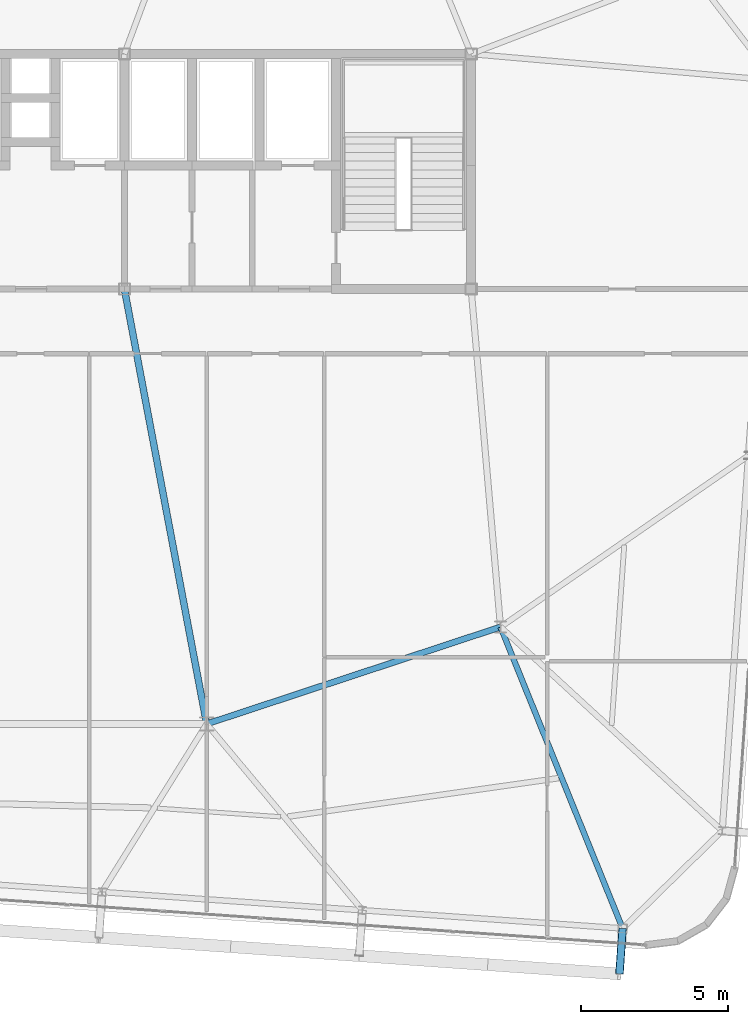
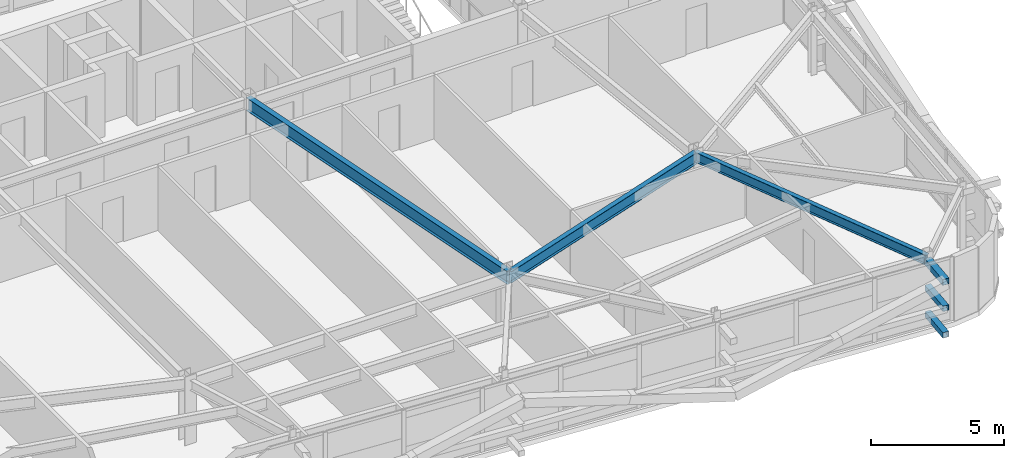
# One storey, part 20 of 47: 3 beams, 3 members.
"""IFC4 building model written with IfcOpenShell, lengths in metres."""

from ifc_helpers import new_model, si_unit, direction, frame, origin, origin_2d, place, context, subcontext, project, spatial, hollow_rectangle, i_section, extrude, source, transform, mapped, material, material_profile, profile_set, type_object, element, save


model = new_model("IFC4")

# Units and contexts
model_context = context("Model", 3, precision=1e-05, world=origin(), true_north=direction((0.0, 1.0)))
body_context = subcontext(model_context, "Body", "Model", "MODEL_VIEW")
ifc_project = project(units=[si_unit("LENGTHUNIT", "METRE"), si_unit("AREAUNIT", "SQUARE_METRE"), si_unit("VOLUMEUNIT", "CUBIC_METRE"), si_unit("PLANEANGLEUNIT", "RADIAN"), si_unit("MASSUNIT", "GRAM", prefix="KILO")], contexts=[model_context])

# Site, building, storey
site_placement = place(None, origin())
site = spatial("IfcSite", under=ifc_project, at=site_placement, CompositionType="ELEMENT")
building_placement = place(site_placement, origin())
building = spatial("IfcBuilding", under=site, at=building_placement, Name="Taldren Reach Tower", CompositionType="ELEMENT")
storey_placement = place(building_placement, frame((0.0, 0.0, 139.300048828125)))
storey = spatial("IfcBuildingStorey", under=building, at=storey_placement, Name="L42", CompositionType="ELEMENT", Elevation=139.300048828125)

# Beams
ifc_material_1 = material(Name="Steel Gr 350 (350PLUS)", Category="steel")
ifc_material_profile_1 = material_profile(ifc_material_1, i_section(OverallWidth=0.208984375, OverallDepth=0.532958984375, WebThickness=0.01025390625, FlangeThickness=0.015625, at=origin_2d()), Name="530UB92.4")
ifc_profile_set_1 = profile_set([ifc_material_profile_1], Name="Steel Gr 350 (350PLUS)")
beam_type_1 = type_object("IfcBeamType", Name="BM-UB530A", PredefinedType="BEAM", material=ifc_profile_set_1)
shared_shape_1 = source(origin(), body_context, "Body", "SweptSolid", [
    extrude(i_section(OverallWidth=0.208984375, OverallDepth=0.532958984375, WebThickness=0.01025390625, FlangeThickness=0.015625, at=origin_2d()), origin(), (0.0, 0.0, 1.0), 10.530517578125),
])
beam_1_placement = place(storey_placement, frame((42.0, 9.199951171875, 2.663330078125), z_axis=(0.949627269203, 0.313381635689, 0.0), x_axis=(-0.313381635689, 0.949627269203, 0.0)))
element("IfcBeam", 1, at=beam_1_placement, inside=storey, type_object=beam_type_1, Name="Core-spine girder L42-SP12", PredefinedType="BEAM", context=body_context, shape_type="MappedRepresentation", body=[
    mapped(shared_shape_1, transform((0.0, 0.0, 0.0), scale=1.0)),
])
ifc_material_profile_2 = material_profile(ifc_material_1, i_section(OverallWidth=0.22802734375, OverallDepth=0.60205078125, WebThickness=0.010498046875, FlangeThickness=0.014892578125, at=origin_2d()), Name="610UB101")
ifc_profile_set_2 = profile_set([ifc_material_profile_2], Name="Steel Gr 350 (350PLUS)")
beam_type_2 = type_object("IfcBeamType", Name="BM-UB610B", PredefinedType="BEAM", material=ifc_profile_set_2)
shared_shape_2 = source(origin(), body_context, "Body", "SweptSolid", [
    extrude(i_section(OverallWidth=0.22802734375, OverallDepth=0.60205078125, WebThickness=0.010498046875, FlangeThickness=0.014892578125, at=origin_2d()), origin(), (0.0, 0.0, 1.0), 15.0625),
])
beam_2_placement = place(storey_placement, frame((39.199951171875, 24.0, 2.62890625), z_axis=(0.185894205668, -0.982569765614, 0.0), x_axis=(0.982569765614, 0.185894205668, 0.0)))
element("IfcBeam", 2, at=beam_2_placement, inside=storey, type_object=beam_type_2, Name="Core-spine girder L42-SP15", PredefinedType="BEAM", context=body_context, shape_type="MappedRepresentation", body=[
    mapped(shared_shape_2, transform((0.0, 0.0, 0.0), scale=1.0)),
])

# Members
ifc_material_2 = material(Name="Steel Gr 450 (C450L0)", Category="steel")
ifc_material_profile_3 = material_profile(ifc_material_2, hollow_rectangle(XDim=0.27490234375, YDim=0.27490234375, WallThickness=0.00927734375, at=origin_2d()), Name="275x275x9.3SHS")
ifc_profile_set_3 = profile_set([ifc_material_profile_3], Name="Steel Gr 450 (C450L0)")
member_type_1 = type_object("IfcMemberType", Name="MB-TIE273", PredefinedType="STRUT", material=ifc_profile_set_3)
shared_shape_3 = source(origin(), body_context, "Body", "SweptSolid", [
    extrude(hollow_rectangle(XDim=0.27490234375, YDim=0.27490234375, WallThickness=0.00927734375, at=origin_2d()), origin(), (0.0, 0.0, 1.0), 1.5498046875),
])
member_placement = place(storey_placement, frame((56.155517578125, 2.2412109375, 2.64990234375), z_axis=(-0.069780535098, -0.997562367434, 0.0), x_axis=(0.997562367434, -0.069780535098, 0.0)))
element("IfcMember", 3, at=member_placement, inside=storey, type_object=member_type_1, Name="Exoskeleton diaphragm tie strut B3-S6 L42", PredefinedType="STRUT", context=body_context, shape_type="MappedRepresentation", body=[
    mapped(shared_shape_3, transform((0.0, 0.0, 0.0), scale=1.0)),
])
ifc_material_3 = material(Name="Steel Gr 350 (C350L0)", Category="steel")
ifc_material_profile_4 = material_profile(ifc_material_3, hollow_rectangle(XDim=0.25, YDim=0.25, WallThickness=0.010009765625, at=origin_2d()), Name="250x250x10.0SHS")
ifc_profile_set_4 = profile_set([ifc_material_profile_4], Name="Steel Gr 350 (C350L0)")
member_type_2 = type_object("IfcMemberType", Name="MB-POST250", PredefinedType="POST", material=ifc_profile_set_4)
shared_shape_4 = source(origin(), body_context, "Body", "SweptSolid", [
    extrude(hollow_rectangle(XDim=0.25, YDim=0.25, WallThickness=0.010009765625, at=origin_2d()), origin(), (0.0, 0.0, 1.0), 1.5498046875),
])
for number, where, z_axis, x_axis, name in (
    (4, (56.155517578125, 2.2412109375, 0.219970703125), (-0.069780535098, -0.997562367434, 0.0), (0.997562367434, -0.069780535098, 0.0), "Exoskeleton base diaphragm tie strut B3-S6 L42"),
    (5, (56.155517578125, 2.2412109375, 1.43505859375), (-0.069780535098, -0.997562367434, 0.0), (0.997562367434, -0.069780535098, 0.0), "Exoskeleton mid-tier diaphragm tie B3-S6 L42"),
):
    element("IfcMember", number, at=place(storey_placement, frame(where, z_axis=z_axis, x_axis=x_axis)), inside=storey, type_object=member_type_2, Name=name, PredefinedType="POST", context=body_context, shape_type="MappedRepresentation", body=[
        mapped(shared_shape_4, transform((0.0, 0.0, 0.0), scale=1.0)),
    ])

# Beam
ifc_material_profile_5 = material_profile(ifc_material_1, i_section(OverallWidth=0.19091796875, OverallDepth=0.4599609375, WebThickness=0.010009765625, FlangeThickness=0.01611328125, at=origin_2d()), Name="460UB82.1")
ifc_profile_set_5 = profile_set([ifc_material_profile_5], Name="Steel Gr 350 (350PLUS)")
beam_type_3 = type_object("IfcBeamType", Name="BM-UB460A", PredefinedType="BEAM", material=ifc_profile_set_5)
shared_shape_5 = source(origin(), body_context, "Body", "SweptSolid", [
    extrude(i_section(OverallWidth=0.19091796875, OverallDepth=0.4599609375, WebThickness=0.010009765625, FlangeThickness=0.01611328125, at=origin_2d()), origin(), (0.0, 0.0, 1.0), 11.068359375),
])
beam_3_placement = place(storey_placement, frame((52.0, 12.5, 2.699951171875), z_axis=(0.375437319636, -0.92684778633, 0.0), x_axis=(0.92684778633, 0.375437319636, 0.0)))
element("IfcBeam", 6, at=beam_3_placement, inside=storey, type_object=beam_type_3, Name="Primary floor girder B3-S6 L42", PredefinedType="BEAM", context=body_context, shape_type="MappedRepresentation", body=[
    mapped(shared_shape_5, transform((0.0, 0.0, 0.0), scale=1.0)),
])

save(model, "model.ifc")
